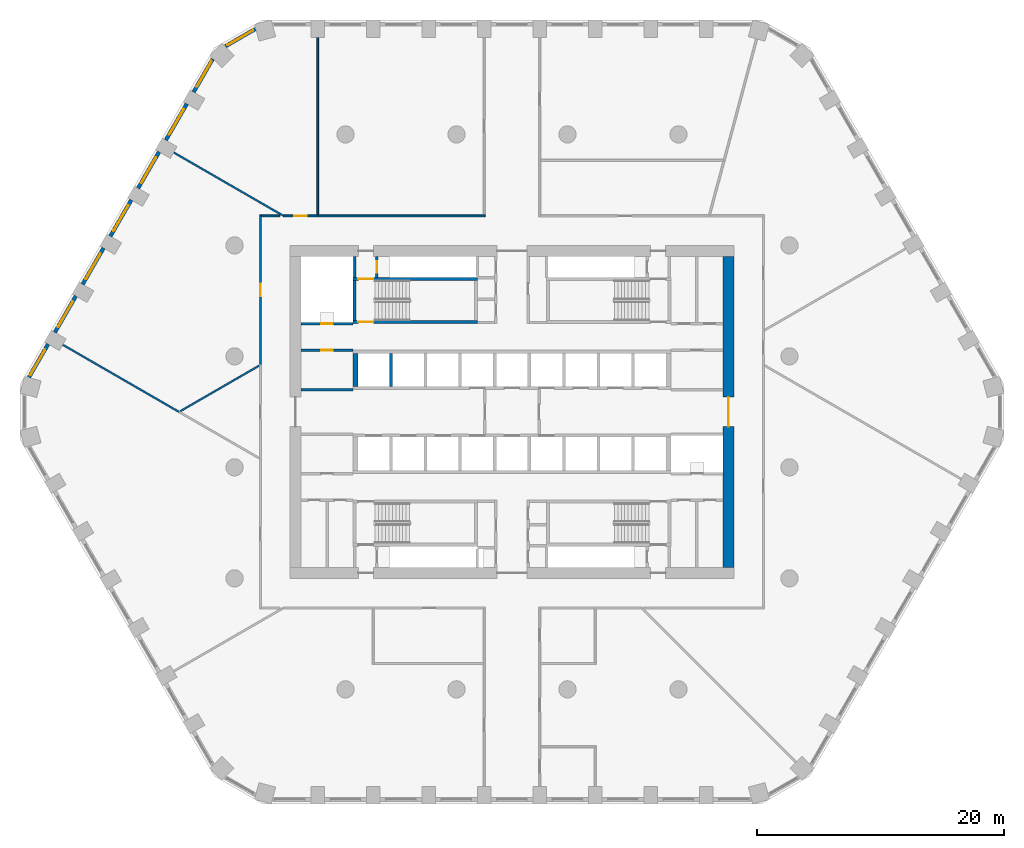
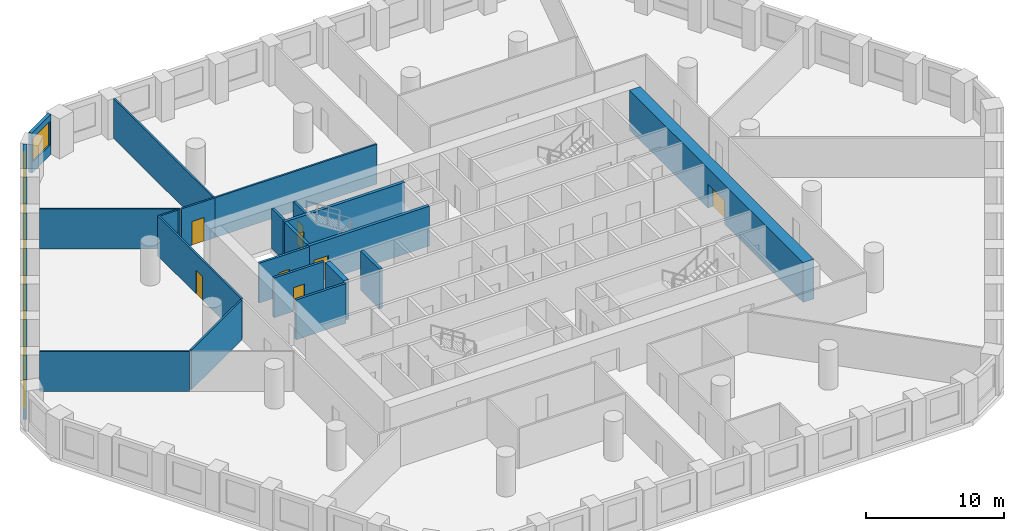
# One storey, part 5 of 10: 27 walls, 8 doors, 8 windows, 16 openings.
"""IFC4 building model written with IfcOpenShell, lengths in metres."""

from ifc_helpers import new_model, si_unit, direction, frame, frame_2d, origin, place, context, subcontext, project, spatial, polyline, rectangle, outline, extrude, material, layer, layer_set, type_object, element, fill, save


model = new_model("IFC4")

# Units and contexts
model_context = context("Model", 3, precision=1e-05, world=origin(), true_north=direction((0.0, 1.0)))
body_context = subcontext(model_context, "Body", "Model", "MODEL_VIEW")
ifc_project = project(units=[si_unit("LENGTHUNIT", "METRE"), si_unit("AREAUNIT", "SQUARE_METRE"), si_unit("VOLUMEUNIT", "CUBIC_METRE"), si_unit("PLANEANGLEUNIT", "RADIAN"), si_unit("MASSUNIT", "GRAM", prefix="KILO")], contexts=[model_context])

# Site, building, storey
site_placement = place(None, origin())
site = spatial("IfcSite", under=ifc_project, at=site_placement, CompositionType="ELEMENT")
building_placement = place(site_placement, origin())
building = spatial("IfcBuilding", under=site, at=building_placement, Name="Dhurran Vertical Campus", CompositionType="ELEMENT")
storey_placement = place(building_placement, frame((0.0, 0.0, 49.5)))
storey = spatial("IfcBuildingStorey", under=building, at=storey_placement, Name="L11", CompositionType="ELEMENT", Elevation=49.5)

# Wall, opening, window
ifc_material_1 = material(Name="Precast concrete C50/60", Category="concrete")
ifc_layer_1 = layer(ifc_material_1, 0.300048828125)
ifc_layer_set_1 = layer_set([ifc_layer_1], Name="Precast concrete C50/60")
wall_type_1 = type_object("IfcWallType", Name="Precast spandrel wall 300", PredefinedType="SOLIDWALL", material=ifc_layer_set_1)
wall_1_placement = place(storey_placement, frame((-20.81884765625, 31.047119140625, 0.0), z_axis=(0.0, 0.0, 1.0), x_axis=(-0.866020456713, -0.500008568482, 0.0)))
wall_1 = element("IfcWall", 1, at=wall_1_placement, inside=storey, type_object=wall_type_1, Name="EW1 L11.35", PredefinedType="SOLIDWALL", context=body_context, shape_type="SweptSolid", body=[
    extrude(rectangle(XDim=2.7822265625, YDim=0.300048828125, at=frame_2d((1.39111328125, 0.0))), origin(), (0.0, 0.0, 1.0), 3.52490234375),
])
opening_1_placement = place(wall_1_placement, frame((0.191162109375, 0.0, 0.89990234375)))
opening_1 = element("IfcOpeningElement", 2, at=opening_1_placement, cuts=wall_1, Name="Opening WT1", PredefinedType="OPENING", context=body_context, shape_type="SweptSolid", body=[
    extrude(rectangle(XDim=2.39990234375, YDim=2.10009765625, at=frame_2d((1.199951171875, 1.050048828125))), frame((0.0, 0.159912109375, 0.0), z_axis=(0.0, -1.0, 0.0), x_axis=(1.0, 0.0, 0.0)), (0.0, 0.0, 1.0), 0.320068359375),
])
ifc_material_2 = material(Name="Aluminium frame with solar-control glass", Category="aluminium")
window_type = type_object("IfcWindowType", Name="Punched window 2400 x 2100", PartitioningType="SINGLE_PANEL", PredefinedType="WINDOW", material=ifc_material_2)
window_1_placement = place(opening_1_placement, origin())
window_1 = element("IfcWindow", 3, at=window_1_placement, inside=storey, type_object=window_type, Name="WT1 L11.35", OverallHeight=2.10009765625, OverallWidth=2.39990234375, PartitioningType="SINGLE_PANEL", PredefinedType="WINDOW", context=body_context, shape_type="SweptSolid", body=[
    extrude(rectangle(XDim=2.39990234375, YDim=2.10009765625, at=frame_2d((1.199951171875, 1.050048828125))), frame((0.0, 0.030029296875, 0.0), z_axis=(0.0, -1.0, 0.0), x_axis=(1.0, 0.0, 0.0)), (0.0, 0.0, 1.0), 0.06005859375),
])
fill(opening_1, window_1)

wall_2_placement = place(storey_placement, frame((-24.2734375, 28.611083984375, 0.0), z_axis=(0.0, 0.0, 1.0), x_axis=(-0.499995950774, -0.866027741594, 0.0)))
wall_2 = element("IfcWall", 4, at=wall_2_placement, inside=storey, type_object=wall_type_1, Name="EW1 L11.36", PredefinedType="SOLIDWALL", context=body_context, shape_type="SweptSolid", body=[
    extrude(rectangle(XDim=3.0908203125, YDim=0.300048828125, at=frame_2d((1.54541015625, 0.0))), origin(), (0.0, 0.0, 1.0), 3.52490234375),
])
opening_2_placement = place(wall_2_placement, frame((0.191162109375, 0.0, 0.89990234375)))
opening_2 = element("IfcOpeningElement", 5, at=opening_2_placement, cuts=wall_2, Name="Opening WT1", PredefinedType="OPENING", context=body_context, shape_type="SweptSolid", body=[
    extrude(rectangle(XDim=2.39990234375, YDim=2.10009765625, at=frame_2d((1.199951171875, 1.050048828125))), frame((0.0, 0.159912109375, 0.0), z_axis=(0.0, -1.0, 0.0), x_axis=(1.0, 0.0, 0.0)), (0.0, 0.0, 1.0), 0.320068359375),
])
window_2_placement = place(opening_2_placement, origin())
window_2 = element("IfcWindow", 6, at=window_2_placement, inside=storey, type_object=window_type, Name="WT1 L11.36", OverallHeight=2.10009765625, OverallWidth=2.39990234375, PartitioningType="SINGLE_PANEL", PredefinedType="WINDOW", context=body_context, shape_type="SweptSolid", body=[
    extrude(rectangle(XDim=2.39990234375, YDim=2.10009765625, at=frame_2d((1.199951171875, 1.050048828125))), frame((0.0, 0.030029296875, 0.0), z_axis=(0.0, -1.0, 0.0), x_axis=(1.0, 0.0, 0.0)), (0.0, 0.0, 1.0), 0.06005859375),
])
fill(opening_2, window_2)

wall_3_placement = place(storey_placement, frame((-26.369384765625, 24.98095703125, 0.0), z_axis=(0.0, 0.0, 1.0), x_axis=(-0.499993955907, -0.866028893315, 0.0)))
wall_3 = element("IfcWall", 7, at=wall_3_placement, inside=storey, type_object=wall_type_1, Name="EW1 L11.37", PredefinedType="SOLIDWALL", context=body_context, shape_type="SweptSolid", body=[
    extrude(rectangle(XDim=3.39892578125, YDim=0.300048828125, at=frame_2d((1.699462890625, 0.0))), origin(), (0.0, 0.0, 1.0), 3.52490234375),
])
opening_3_placement = place(wall_3_placement, frame((0.49951171875, 0.0, 0.89990234375)))
opening_3 = element("IfcOpeningElement", 8, at=opening_3_placement, cuts=wall_3, Name="Opening WT1", PredefinedType="OPENING", context=body_context, shape_type="SweptSolid", body=[
    extrude(rectangle(XDim=2.39990234375, YDim=2.10009765625, at=frame_2d((1.199951171875, 1.050048828125))), frame((0.0, 0.159912109375, 0.0), z_axis=(0.0, -1.0, 0.0), x_axis=(1.0, 0.0, 0.0)), (0.0, 0.0, 1.0), 0.320068359375),
])
window_3_placement = place(opening_3_placement, origin())
window_3 = element("IfcWindow", 9, at=window_3_placement, inside=storey, type_object=window_type, Name="WT1 L11.37", OverallHeight=2.10009765625, OverallWidth=2.39990234375, PartitioningType="SINGLE_PANEL", PredefinedType="WINDOW", context=body_context, shape_type="SweptSolid", body=[
    extrude(rectangle(XDim=2.39990234375, YDim=2.10009765625, at=frame_2d((1.199951171875, 1.050048828125))), frame((0.0, 0.030029296875, 0.0), z_axis=(0.0, -1.0, 0.0), x_axis=(1.0, 0.0, 0.0)), (0.0, 0.0, 1.0), 0.06005859375),
])
fill(opening_3, window_3)

wall_4_placement = place(storey_placement, frame((-28.619384765625, 21.083740234375, 0.0), z_axis=(0.0, 0.0, 1.0), x_axis=(-0.499993955907, -0.866028893315, 0.0)))
wall_4 = element("IfcWall", 10, at=wall_4_placement, inside=storey, type_object=wall_type_1, Name="EW1 L11.38", PredefinedType="SOLIDWALL", context=body_context, shape_type="SweptSolid", body=[
    extrude(rectangle(XDim=3.39892578125, YDim=0.300048828125, at=frame_2d((1.699462890625, 0.0))), origin(), (0.0, 0.0, 1.0), 3.52490234375),
])
opening_4_placement = place(wall_4_placement, frame((0.49951171875, 0.0, 0.89990234375)))
opening_4 = element("IfcOpeningElement", 11, at=opening_4_placement, cuts=wall_4, Name="Opening WT1", PredefinedType="OPENING", context=body_context, shape_type="SweptSolid", body=[
    extrude(rectangle(XDim=2.39990234375, YDim=2.10009765625, at=frame_2d((1.199951171875, 1.050048828125))), frame((0.0, 0.159912109375, 0.0), z_axis=(0.0, -1.0, 0.0), x_axis=(1.0, 0.0, 0.0)), (0.0, 0.0, 1.0), 0.320068359375),
])
window_4_placement = place(opening_4_placement, origin())
window_4 = element("IfcWindow", 12, at=window_4_placement, inside=storey, type_object=window_type, Name="WT1 L11.38", OverallHeight=2.10009765625, OverallWidth=2.39990234375, PartitioningType="SINGLE_PANEL", PredefinedType="WINDOW", context=body_context, shape_type="SweptSolid", body=[
    extrude(rectangle(XDim=2.39990234375, YDim=2.10009765625, at=frame_2d((1.199951171875, 1.050048828125))), frame((0.0, 0.030029296875, 0.0), z_axis=(0.0, -1.0, 0.0), x_axis=(1.0, 0.0, 0.0)), (0.0, 0.0, 1.0), 0.06005859375),
])
fill(opening_4, window_4)

wall_5_placement = place(storey_placement, frame((-30.869384765625, 17.186767578125, 0.0), z_axis=(0.0, 0.0, 1.0), x_axis=(-0.499993955907, -0.866028893315, 0.0)))
wall_5 = element("IfcWall", 13, at=wall_5_placement, inside=storey, type_object=wall_type_1, Name="EW1 L11.39", PredefinedType="SOLIDWALL", context=body_context, shape_type="SweptSolid", body=[
    extrude(rectangle(XDim=3.39892578125, YDim=0.300048828125, at=frame_2d((1.699462890625, 0.0))), origin(), (0.0, 0.0, 1.0), 3.52490234375),
])
opening_5_placement = place(wall_5_placement, frame((0.49951171875, 0.0, 0.89990234375)))
opening_5 = element("IfcOpeningElement", 14, at=opening_5_placement, cuts=wall_5, Name="Opening WT1", PredefinedType="OPENING", context=body_context, shape_type="SweptSolid", body=[
    extrude(rectangle(XDim=2.39990234375, YDim=2.10009765625, at=frame_2d((1.199951171875, 1.050048828125))), frame((0.0, 0.159912109375, 0.0), z_axis=(0.0, -1.0, 0.0), x_axis=(1.0, 0.0, 0.0)), (0.0, 0.0, 1.0), 0.320068359375),
])
window_5_placement = place(opening_5_placement, origin())
window_5 = element("IfcWindow", 15, at=window_5_placement, inside=storey, type_object=window_type, Name="WT1 L11.39", OverallHeight=2.10009765625, OverallWidth=2.39990234375, PartitioningType="SINGLE_PANEL", PredefinedType="WINDOW", context=body_context, shape_type="SweptSolid", body=[
    extrude(rectangle(XDim=2.39990234375, YDim=2.10009765625, at=frame_2d((1.199951171875, 1.050048828125))), frame((0.0, 0.030029296875, 0.0), z_axis=(0.0, -1.0, 0.0), x_axis=(1.0, 0.0, 0.0)), (0.0, 0.0, 1.0), 0.06005859375),
])
fill(opening_5, window_5)

wall_6_placement = place(storey_placement, frame((-33.119384765625, 13.28955078125, 0.0), z_axis=(0.0, 0.0, 1.0), x_axis=(-0.499993955907, -0.866028893315, 0.0)))
wall_6 = element("IfcWall", 16, at=wall_6_placement, inside=storey, type_object=wall_type_1, Name="EW1 L11.40", PredefinedType="SOLIDWALL", context=body_context, shape_type="SweptSolid", body=[
    extrude(rectangle(XDim=3.39892578125, YDim=0.300048828125, at=frame_2d((1.699462890625, 0.0))), origin(), (0.0, 0.0, 1.0), 3.52490234375),
])
opening_6_placement = place(wall_6_placement, frame((0.49951171875, 0.0, 0.89990234375)))
opening_6 = element("IfcOpeningElement", 17, at=opening_6_placement, cuts=wall_6, Name="Opening WT1", PredefinedType="OPENING", context=body_context, shape_type="SweptSolid", body=[
    extrude(rectangle(XDim=2.39990234375, YDim=2.10009765625, at=frame_2d((1.199951171875, 1.050048828125))), frame((0.0, 0.159912109375, 0.0), z_axis=(0.0, -1.0, 0.0), x_axis=(1.0, 0.0, 0.0)), (0.0, 0.0, 1.0), 0.320068359375),
])
window_6_placement = place(opening_6_placement, origin())
window_6 = element("IfcWindow", 18, at=window_6_placement, inside=storey, type_object=window_type, Name="WT1 L11.40", OverallHeight=2.10009765625, OverallWidth=2.39990234375, PartitioningType="SINGLE_PANEL", PredefinedType="WINDOW", context=body_context, shape_type="SweptSolid", body=[
    extrude(rectangle(XDim=2.39990234375, YDim=2.10009765625, at=frame_2d((1.199951171875, 1.050048828125))), frame((0.0, 0.030029296875, 0.0), z_axis=(0.0, -1.0, 0.0), x_axis=(1.0, 0.0, 0.0)), (0.0, 0.0, 1.0), 0.06005859375),
])
fill(opening_6, window_6)

wall_7_placement = place(storey_placement, frame((-35.369384765625, 9.392578125, 0.0), z_axis=(0.0, 0.0, 1.0), x_axis=(-0.499993955907, -0.866028893315, 0.0)))
wall_7 = element("IfcWall", 19, at=wall_7_placement, inside=storey, type_object=wall_type_1, Name="EW1 L11.41", PredefinedType="SOLIDWALL", context=body_context, shape_type="SweptSolid", body=[
    extrude(rectangle(XDim=3.39892578125, YDim=0.300048828125, at=frame_2d((1.699462890625, 0.0))), origin(), (0.0, 0.0, 1.0), 3.52490234375),
])
opening_7_placement = place(wall_7_placement, frame((0.49951171875, 0.0, 0.89990234375)))
opening_7 = element("IfcOpeningElement", 20, at=opening_7_placement, cuts=wall_7, Name="Opening WT1", PredefinedType="OPENING", context=body_context, shape_type="SweptSolid", body=[
    extrude(rectangle(XDim=2.39990234375, YDim=2.10009765625, at=frame_2d((1.199951171875, 1.050048828125))), frame((0.0, 0.159912109375, 0.0), z_axis=(0.0, -1.0, 0.0), x_axis=(1.0, 0.0, 0.0)), (0.0, 0.0, 1.0), 0.320068359375),
])
window_7_placement = place(opening_7_placement, origin())
window_7 = element("IfcWindow", 21, at=window_7_placement, inside=storey, type_object=window_type, Name="WT1 L11.41", OverallHeight=2.10009765625, OverallWidth=2.39990234375, PartitioningType="SINGLE_PANEL", PredefinedType="WINDOW", context=body_context, shape_type="SweptSolid", body=[
    extrude(rectangle(XDim=2.39990234375, YDim=2.10009765625, at=frame_2d((1.199951171875, 1.050048828125))), frame((0.0, 0.030029296875, 0.0), z_axis=(0.0, -1.0, 0.0), x_axis=(1.0, 0.0, 0.0)), (0.0, 0.0, 1.0), 0.06005859375),
])
fill(opening_7, window_7)

wall_8_placement = place(storey_placement, frame((-37.619384765625, 5.495361328125, 0.0), z_axis=(0.0, 0.0, 1.0), x_axis=(-0.49997090907, -0.866042198789, 0.0)))
wall_8 = element("IfcWall", 22, at=wall_8_placement, inside=storey, type_object=wall_type_1, Name="EW1 L11.42", PredefinedType="SOLIDWALL", context=body_context, shape_type="SweptSolid", body=[
    extrude(rectangle(XDim=3.090576171875, YDim=0.300048828125, at=frame_2d((1.54541015625, 0.0))), origin(), (0.0, 0.0, 1.0), 3.52490234375),
])
opening_8_placement = place(wall_8_placement, frame((0.49951171875, 0.0, 0.89990234375)))
opening_8 = element("IfcOpeningElement", 23, at=opening_8_placement, cuts=wall_8, Name="Opening WT1", PredefinedType="OPENING", context=body_context, shape_type="SweptSolid", body=[
    extrude(rectangle(XDim=2.39990234375, YDim=2.10009765625, at=frame_2d((1.199951171875, 1.050048828125))), frame((0.0, 0.159912109375, 0.0), z_axis=(0.0, -1.0, 0.0), x_axis=(1.0, 0.0, 0.0)), (0.0, 0.0, 1.0), 0.320068359375),
])
window_8_placement = place(opening_8_placement, origin())
window_8 = element("IfcWindow", 24, at=window_8_placement, inside=storey, type_object=window_type, Name="WT1 L11.42", OverallHeight=2.10009765625, OverallWidth=2.39990234375, PartitioningType="SINGLE_PANEL", PredefinedType="WINDOW", context=body_context, shape_type="SweptSolid", body=[
    extrude(rectangle(XDim=2.39990234375, YDim=2.10009765625, at=frame_2d((1.199951171875, 1.050048828125))), frame((0.0, 0.030029296875, 0.0), z_axis=(0.0, -1.0, 0.0), x_axis=(1.0, 0.0, 0.0)), (0.0, 0.0, 1.0), 0.06005859375),
])
fill(opening_8, window_8)

# Wall, opening, door
ifc_material_3 = material(Name="Concrete C60/75", Category="concrete")
ifc_layer_2 = layer(ifc_material_3, 0.89990234375)
ifc_layer_set_2 = layer_set([ifc_layer_2], Name="Concrete C60/75")
wall_type_2 = type_object("IfcWallType", Name="co-CORE-WALL-C0-900", PredefinedType="SHEAR", material=ifc_layer_set_2)
wall_9_placement = place(storey_placement, frame((17.550048828125, -12.60009765625, 0.0), z_axis=(0.0, 0.0, 1.0), x_axis=(0.0, 1.0, 0.0)))
wall_9 = element("IfcWall", 25, at=wall_9_placement, inside=storey, type_object=wall_type_2, Name="Core wall E L11", PredefinedType="SHEAR", context=body_context, shape_type="SweptSolid", body=[
    extrude(rectangle(XDim=25.2001953125, YDim=0.89990234375, at=frame_2d((12.60009765625, 0.0))), origin(), (0.0, 0.0, 1.0), 3.52490234375),
])
opening_9_placement = place(wall_9_placement, frame((11.39990234375, 0.0, 0.0)))
opening_9 = element("IfcOpeningElement", 26, at=opening_9_placement, cuts=wall_9, Name="Opening CL2", PredefinedType="OPENING", context=body_context, shape_type="SweptSolid", body=[
    extrude(rectangle(XDim=2.39990234375, YDim=2.10009765625, at=frame_2d((1.199951171875, 1.050048828125))), frame((0.0, 0.4599609375, 0.0), z_axis=(0.0, -1.0, 0.0), x_axis=(1.0, 0.0, 0.0)), (0.0, 0.0, 1.0), 0.919921875),
])
ifc_material_4 = material(Name="Fire-rated glazed door set")
door_type_1 = type_object("IfcDoorType", Name="co-D-LOBBY 2400x2100", OperationType="DOUBLE_DOOR_DOUBLE_SWING", PredefinedType="DOOR", material=ifc_material_4)
door_1_placement = place(opening_9_placement, origin())
door_1 = element("IfcDoor", 27, at=door_1_placement, inside=storey, type_object=door_type_1, Name="Lift lobby door E L11", OperationType="DOUBLE_DOOR_DOUBLE_SWING", OverallHeight=2.10009765625, OverallWidth=2.39990234375, PredefinedType="DOOR", context=body_context, shape_type="SweptSolid", body=[
    extrude(rectangle(XDim=2.39990234375, YDim=2.10009765625, at=frame_2d((1.199951171875, 1.050048828125))), frame((0.0, 0.02490234375, 0.0), z_axis=(0.0, -1.0, 0.0), x_axis=(1.0, 0.0, 0.0)), (0.0, 0.0, 1.0), 0.050048828125),
])
fill(opening_9, door_1)

# Wall
ifc_material_5 = material(Name="Fire-rated masonry blockwork", Category="masonry")
ifc_layer_3 = layer(ifc_material_5, 0.199951171875)
ifc_layer_set_3 = layer_set([ifc_layer_3], Name="Fire-rated masonry blockwork")
wall_type_3 = type_object("IfcWallType", Name="co-FIRE-PARTITION-200", PredefinedType="PARTITIONING", material=ifc_layer_set_3)
wall_10_placement = place(storey_placement, frame((-12.75, 10.89990234375, 0.0), z_axis=(0.0, 0.0, 1.0), x_axis=(0.0, 1.0, 0.0)))
element("IfcWall", 28, at=wall_10_placement, inside=storey, type_object=wall_type_3, Name="Core partition pass-ST1-o L11", PredefinedType="PARTITIONING", context=body_context, shape_type="SweptSolid", body=[
    extrude(rectangle(XDim=1.7001953125, YDim=0.199951171875, at=frame_2d((0.85009765625, 0.0))), origin(), (0.0, 0.0, 1.0), 3.52490234375),
])

# Wall, opening, door
wall_11_placement = place(storey_placement, frame((-10.949951171875, 10.89990234375, 0.0), z_axis=(0.0, 0.0, 1.0), x_axis=(0.0, 1.0, 0.0)))
wall_11 = element("IfcWall", 29, at=wall_11_placement, inside=storey, type_object=wall_type_3, Name="Core partition pass-ST1-i L11", PredefinedType="PARTITIONING", context=body_context, shape_type="SweptSolid", body=[
    extrude(rectangle(XDim=1.7001953125, YDim=0.199951171875, at=frame_2d((0.85009765625, 0.0))), origin(), (0.0, 0.0, 1.0), 3.52490234375),
])
opening_10_placement = place(wall_11_placement, frame((0.39990234375, 0.0, 0.0)))
opening_10 = element("IfcOpeningElement", 30, at=opening_10_placement, cuts=wall_11, Name="Opening T02-C10", PredefinedType="OPENING", context=body_context, shape_type="SweptSolid", body=[
    extrude(rectangle(XDim=0.89990234375, YDim=2.10009765625, at=frame_2d((0.449951171875, 1.050048828125))), frame((0.0, 0.10986328125, 0.0), z_axis=(0.0, -1.0, 0.0), x_axis=(1.0, 0.0, 0.0)), (0.0, 0.0, 1.0), 0.219970703125),
])
ifc_material_6 = material(Name="Fire-rated timber door set", Category="wood")
door_type_2 = type_object("IfcDoorType", Name="co-D-ROOM 900x2100", OperationType="SINGLE_SWING_LEFT", PredefinedType="DOOR", material=ifc_material_6)
door_2_placement = place(opening_10_placement, origin())
door_2 = element("IfcDoor", 31, at=door_2_placement, inside=storey, type_object=door_type_2, Name="Riser room door L11", OperationType="SINGLE_SWING_LEFT", OverallHeight=2.10009765625, OverallWidth=0.89990234375, PredefinedType="DOOR", context=body_context, shape_type="SweptSolid", body=[
    extrude(rectangle(XDim=0.89990234375, YDim=2.10009765625, at=frame_2d((0.449951171875, 1.050048828125))), frame((0.0, 0.02490234375, 0.0), z_axis=(0.0, -1.0, 0.0), x_axis=(1.0, 0.0, 0.0)), (0.0, 0.0, 1.0), 0.050048828125),
])
fill(opening_10, door_2)

wall_12_placement = place(storey_placement, frame((-17.10009765625, 7.14990234375, 0.0), z_axis=(0.0, 0.0, 1.0), x_axis=(1.0, 0.0, 0.0)))
wall_12 = element("IfcWall", 32, at=wall_12_placement, inside=storey, type_object=wall_type_3, Name="Core partition en-NW-w L11", PredefinedType="PARTITIONING", context=body_context, shape_type="SweptSolid", body=[
    extrude(rectangle(XDim=4.2001953125, YDim=0.199951171875, at=frame_2d((2.10009765625, 0.0))), origin(), (0.0, 0.0, 1.0), 3.52490234375),
])
opening_11_placement = place(wall_12_placement, frame((1.64990234375, 0.0, 0.0)))
opening_11 = element("IfcOpeningElement", 33, at=opening_11_placement, cuts=wall_12, Name="Opening T02-C14", PredefinedType="OPENING", context=body_context, shape_type="SweptSolid", body=[
    extrude(rectangle(XDim=0.89990234375, YDim=2.10009765625, at=frame_2d((0.449951171875, 1.050048828125))), frame((0.0, 0.10986328125, 0.0), z_axis=(0.0, -1.0, 0.0), x_axis=(1.0, 0.0, 0.0)), (0.0, 0.0, 1.0), 0.219970703125),
])
door_3_placement = place(opening_11_placement, origin())
door_3 = element("IfcDoor", 34, at=door_3_placement, inside=storey, type_object=door_type_2, Name="Water riser door L11", OperationType="SINGLE_SWING_LEFT", OverallHeight=2.10009765625, OverallWidth=0.89990234375, PredefinedType="DOOR", context=body_context, shape_type="SweptSolid", body=[
    extrude(rectangle(XDim=0.89990234375, YDim=2.10009765625, at=frame_2d((0.449951171875, 1.050048828125))), frame((0.0, 0.02490234375, 0.0), z_axis=(0.0, -1.0, 0.0), x_axis=(1.0, 0.0, 0.0)), (0.0, 0.0, 1.0), 0.050048828125),
])
fill(opening_11, door_3)

wall_13_placement = place(storey_placement, frame((-17.10009765625, 5.0, 0.0), z_axis=(0.0, 0.0, 1.0), x_axis=(1.0, 0.0, 0.0)))
wall_13 = element("IfcWall", 35, at=wall_13_placement, inside=storey, type_object=wall_type_3, Name="Core partition es-NW-w L11", PredefinedType="PARTITIONING", context=body_context, shape_type="SweptSolid", body=[
    extrude(rectangle(XDim=4.2001953125, YDim=0.199951171875, at=frame_2d((2.10009765625, 0.0))), origin(), (0.0, 0.0, 1.0), 3.52490234375),
])
opening_12_placement = place(wall_13_placement, frame((1.64990234375, 0.0, 0.0)))
opening_12 = element("IfcOpeningElement", 36, at=opening_12_placement, cuts=wall_13, Name="Opening T02-C15", PredefinedType="OPENING", context=body_context, shape_type="SweptSolid", body=[
    extrude(rectangle(XDim=0.89990234375, YDim=2.10009765625, at=frame_2d((0.449951171875, 1.050048828125))), frame((0.0, 0.10986328125, 0.0), z_axis=(0.0, -1.0, 0.0), x_axis=(1.0, 0.0, 0.0)), (0.0, 0.0, 1.0), 0.219970703125),
])
door_4_placement = place(opening_12_placement, origin())
door_4 = element("IfcDoor", 37, at=door_4_placement, inside=storey, type_object=door_type_2, Name="Server room door L11", OperationType="SINGLE_SWING_LEFT", OverallHeight=2.10009765625, OverallWidth=0.89990234375, PredefinedType="DOOR", context=body_context, shape_type="SweptSolid", body=[
    extrude(rectangle(XDim=0.89990234375, YDim=2.10009765625, at=frame_2d((0.449951171875, 1.050048828125))), frame((0.0, 0.02490234375, 0.0), z_axis=(0.0, -1.0, 0.0), x_axis=(1.0, 0.0, 0.0)), (0.0, 0.0, 1.0), 0.050048828125),
])
fill(opening_12, door_4)

# Walls
wall_14_placement = place(storey_placement, frame((-17.10009765625, 1.800048828125, 0.0), z_axis=(0.0, 0.0, 1.0), x_axis=(1.0, 0.0, 0.0)))
element("IfcWall", 38, at=wall_14_placement, inside=storey, type_object=wall_type_3, Name="Core partition es-NW-l L11", PredefinedType="PARTITIONING", context=body_context, shape_type="SweptSolid", body=[
    extrude(rectangle(XDim=4.2001953125, YDim=0.199951171875, at=frame_2d((2.10009765625, 0.0))), origin(), (0.0, 0.0, 1.0), 3.52490234375),
])
ifc_material_7 = material(Name="Concrete C50/60", Category="concrete")
ifc_layer_4 = layer(ifc_material_7, 0.25)
ifc_layer_set_4 = layer_set([ifc_layer_4], Name="Concrete C50/60")
wall_type_4 = type_object("IfcWallType", Name="co-SHAFT-MASS-250", PredefinedType="SHEAR", material=ifc_layer_set_4)
wall_15_placement = place(storey_placement, origin())
element("IfcWall", 39, at=wall_15_placement, inside=storey, type_object=wall_type_4, Name="Lift shaft wall N L11 2", PredefinedType="SHEAR", context=body_context, shape_type="SweptSolid", body=[
    extrude(outline(polyline([(-12.89990234375, 2.050048828125), (-12.47509765625, 2.050048828125), (-12.47509765625, 4.75), (-12.89990234375, 4.75), (-12.89990234375, 2.050048828125)])), origin(), (0.0, 0.0, 1.0), 3.52490234375),
])
wall_16_placement = place(storey_placement, origin())
element("IfcWall", 40, at=wall_16_placement, inside=storey, type_object=wall_type_4, Name="Lift shaft wall N L11 3", PredefinedType="SHEAR", context=body_context, shape_type="SweptSolid", body=[
    extrude(outline(polyline([(-9.925048828125, 2.050048828125), (-9.675048828125, 2.050048828125), (-9.675048828125, 4.75), (-9.925048828125, 4.75), (-9.925048828125, 2.050048828125)])), origin(), (0.0, 0.0, 1.0), 3.52490234375),
])

# Wall, opening, door
ifc_material_8 = material(Name="Concrete C40/50", Category="concrete")
ifc_layer_5 = layer(ifc_material_8, 0.25)
ifc_layer_set_5 = layer_set([ifc_layer_5], Name="Concrete C40/50")
wall_type_5 = type_object("IfcWallType", Name="co-STAIR-WALL-250", PredefinedType="SHEAR", material=ifc_layer_set_5)
wall_17_placement = place(storey_placement, frame((-12.89990234375, 7.27490234375, 0.0), z_axis=(0.0, 0.0, 1.0), x_axis=(1.0, 0.0, 0.0)))
wall_17 = element("IfcWall", 41, at=wall_17_placement, inside=storey, type_object=wall_type_5, Name="Stair ST1 enclosure wall L11", PredefinedType="SHEAR", context=body_context, shape_type="SweptSolid", body=[
    extrude(rectangle(XDim=10.099853515625, YDim=0.25, at=frame_2d((5.0498046875, 0.0))), origin(), (0.0, 0.0, 1.0), 3.52490234375),
])
opening_13_placement = place(wall_17_placement, frame((0.449951171875, 0.0, 0.0)))
opening_13 = element("IfcOpeningElement", 42, at=opening_13_placement, cuts=wall_17, Name="Opening SD1", PredefinedType="OPENING", context=body_context, shape_type="SweptSolid", body=[
    extrude(rectangle(XDim=1.199951171875, YDim=2.10009765625, at=frame_2d((0.60009765625, 1.050048828125))), frame((0.0, 0.135009765625, 0.0), z_axis=(0.0, -1.0, 0.0), x_axis=(1.0, 0.0, 0.0)), (0.0, 0.0, 1.0), 0.27001953125),
])
ifc_material_9 = material(Name="Fire-rated steel door set", Category="steel")
door_type_3 = type_object("IfcDoorType", Name="co-D-STAIR 1200x2100", OperationType="SINGLE_SWING_LEFT", PredefinedType="DOOR", material=ifc_material_9)
door_5_placement = place(opening_13_placement, origin())
door_5 = element("IfcDoor", 43, at=door_5_placement, inside=storey, type_object=door_type_3, Name="Stair ST1 door L11", OperationType="SINGLE_SWING_LEFT", OverallHeight=2.10009765625, OverallWidth=1.199951171875, PredefinedType="DOOR", context=body_context, shape_type="SweptSolid", body=[
    extrude(rectangle(XDim=1.199951171875, YDim=2.10009765625, at=frame_2d((0.60009765625, 1.050048828125))), frame((0.0, 0.02490234375, 0.0), z_axis=(0.0, -1.0, 0.0), x_axis=(1.0, 0.0, 0.0)), (0.0, 0.0, 1.0), 0.050048828125),
])
fill(opening_13, door_5)

wall_18_placement = place(storey_placement, frame((-12.89990234375, 10.77490234375, 0.0), z_axis=(0.0, 0.0, 1.0), x_axis=(1.0, 0.0, 0.0)))
wall_18 = element("IfcWall", 44, at=wall_18_placement, inside=storey, type_object=wall_type_5, Name="Stair ST1 enclosure wall L11", PredefinedType="SHEAR", context=body_context, shape_type="SweptSolid", body=[
    extrude(rectangle(XDim=10.099853515625, YDim=0.25, at=frame_2d((5.0498046875, 0.0))), origin(), (0.0, 0.0, 1.0), 3.52490234375),
])
opening_14_placement = place(wall_18_placement, frame((0.449951171875, 0.0, 0.0)))
opening_14 = element("IfcOpeningElement", 45, at=opening_14_placement, cuts=wall_18, Name="Opening XS1", PredefinedType="OPENING", context=body_context, shape_type="SweptSolid", body=[
    extrude(rectangle(XDim=1.199951171875, YDim=2.10009765625, at=frame_2d((0.60009765625, 1.050048828125))), frame((0.0, 0.135009765625, 0.0), z_axis=(0.0, -1.0, 0.0), x_axis=(1.0, 0.0, 0.0)), (0.0, 0.0, 1.0), 0.27001953125),
])
ifc_material_10 = material(Name="Fire-rated steel door set", Category="steel")
door_type_4 = type_object("IfcDoorType", Name="co-D-STAIR-EXIT 1200x2100", OperationType="SINGLE_SWING_RIGHT", PredefinedType="DOOR", material=ifc_material_10)
door_6_placement = place(opening_14_placement, origin())
door_6 = element("IfcDoor", 46, at=door_6_placement, inside=storey, type_object=door_type_4, Name="Stair ST1 discharge door L11", OperationType="SINGLE_SWING_RIGHT", OverallHeight=2.10009765625, OverallWidth=1.199951171875, PredefinedType="DOOR", context=body_context, shape_type="SweptSolid", body=[
    extrude(rectangle(XDim=1.199951171875, YDim=2.10009765625, at=frame_2d((0.60009765625, 1.050048828125))), frame((0.0, 0.02490234375, 0.0), z_axis=(0.0, -1.0, 0.0), x_axis=(1.0, 0.0, 0.0)), (0.0, 0.0, 1.0), 0.050048828125),
])
fill(opening_14, door_6)

# Wall
wall_19_placement = place(storey_placement, frame((-12.77490234375, 7.39990234375, 0.0), z_axis=(0.0, 0.0, 1.0), x_axis=(0.0, 1.0, 0.0)))
element("IfcWall", 47, at=wall_19_placement, inside=storey, type_object=wall_type_5, Name="Stair ST1 enclosure wall L11", PredefinedType="SHEAR", context=body_context, shape_type="SweptSolid", body=[
    extrude(rectangle(XDim=3.25, YDim=0.25, at=frame_2d((1.625, 0.0))), origin(), (0.0, 0.0, 1.0), 3.52490234375),
])

# Wall, opening, door
ifc_material_11 = material(Name="Gypsum board corridor wall on steel studs", Category="steel")
ifc_layer_6 = layer(ifc_material_11, 0.14990234375)
ifc_layer_set_6 = layer_set([ifc_layer_6], Name="Gypsum board corridor wall on steel studs")
wall_type_6 = type_object("IfcWallType", Name="fl-CW-150 corridor wall", PredefinedType="PARTITIONING", material=ifc_layer_set_6)
wall_20_placement = place(storey_placement, frame((-20.39990234375, 15.97509765625, 0.0), z_axis=(0.0, 0.0, 1.0), x_axis=(0.0, -1.0, 0.0)))
wall_20 = element("IfcWall", 48, at=wall_20_placement, inside=storey, type_object=wall_type_6, Name="Partition 11-09", PredefinedType="PARTITIONING", context=body_context, shape_type="SweptSolid", body=[
    extrude(rectangle(XDim=12.1640625, YDim=0.14990234375, at=frame_2d((6.08203125, 0.0))), origin(), (0.0, 0.0, 1.0), 3.52490234375),
])
opening_15_placement = place(wall_20_placement, frame((5.58203125, 0.0, 0.0)))
opening_15 = element("IfcOpeningElement", 49, at=opening_15_placement, cuts=wall_20, Name="Opening T02.02", PredefinedType="OPENING", context=body_context, shape_type="SweptSolid", body=[
    extrude(rectangle(XDim=1.0, YDim=2.10009765625, at=frame_2d((0.5, 1.050048828125))), frame((0.0, 0.0849609375, 0.0), z_axis=(0.0, -1.0, 0.0), x_axis=(1.0, 0.0, 0.0)), (0.0, 0.0, 1.0), 0.169921875),
])
ifc_material_12 = material(Name="Solid-core timber door set, fire-rated", Category="wood")
door_type_5 = type_object("IfcDoorType", Name="fl-D-1000x2100", OperationType="SINGLE_SWING_LEFT", PredefinedType="DOOR", material=ifc_material_12)
door_7_placement = place(opening_15_placement, origin())
door_7 = element("IfcDoor", 50, at=door_7_placement, inside=storey, type_object=door_type_5, Name="Door 11.02", OperationType="SINGLE_SWING_LEFT", OverallHeight=2.10009765625, OverallWidth=1.0, PredefinedType="DOOR", context=body_context, shape_type="SweptSolid", body=[
    extrude(rectangle(XDim=1.0, YDim=2.10009765625, at=frame_2d((0.5, 1.050048828125))), frame((0.0, 0.02490234375, 0.0), z_axis=(0.0, -1.0, 0.0), x_axis=(1.0, 0.0, 0.0)), (0.0, 0.0, 1.0), 0.050048828125),
])
fill(opening_15, door_7)

# Wall
wall_21_placement = place(storey_placement, frame((-18.81494140625, 15.89990234375, 0.0), z_axis=(0.0, 0.0, 1.0), x_axis=(-1.0, 0.0, 0.0)))
element("IfcWall", 51, at=wall_21_placement, inside=storey, type_object=wall_type_6, Name="Partition 11-10", PredefinedType="PARTITIONING", context=body_context, shape_type="SweptSolid", body=[
    extrude(rectangle(XDim=1.510009765625, YDim=0.14990234375, at=frame_2d((0.7548828125, 0.0))), origin(), (0.0, 0.0, 1.0), 3.52490234375),
])

# Wall, opening, door
wall_22_placement = place(storey_placement, frame((-15.75, 15.89990234375, 0.0), z_axis=(0.0, 0.0, 1.0), x_axis=(-1.0, 0.0, 0.0)))
wall_22 = element("IfcWall", 52, at=wall_22_placement, inside=storey, type_object=wall_type_6, Name="Partition 11-12", PredefinedType="PARTITIONING", context=body_context, shape_type="SweptSolid", body=[
    extrude(rectangle(XDim=2.7900390625, YDim=0.14990234375, at=frame_2d((1.39501953125, 0.0))), origin(), (0.0, 0.0, 1.0), 3.52490234375),
])
opening_16_placement = place(wall_22_placement, frame((0.89501953125, 0.0, 0.0)))
opening_16 = element("IfcOpeningElement", 53, at=opening_16_placement, cuts=wall_22, Name="Opening T02.04", PredefinedType="OPENING", context=body_context, shape_type="SweptSolid", body=[
    extrude(rectangle(XDim=1.0, YDim=2.10009765625, at=frame_2d((0.5, 1.050048828125))), frame((0.0, 0.0849609375, 0.0), z_axis=(0.0, -1.0, 0.0), x_axis=(1.0, 0.0, 0.0)), (0.0, 0.0, 1.0), 0.169921875),
])
door_8_placement = place(opening_16_placement, origin())
door_8 = element("IfcDoor", 54, at=door_8_placement, inside=storey, type_object=door_type_5, Name="Door 11.04", OperationType="SINGLE_SWING_LEFT", OverallHeight=2.10009765625, OverallWidth=1.0, PredefinedType="DOOR", context=body_context, shape_type="SweptSolid", body=[
    extrude(rectangle(XDim=1.0, YDim=2.10009765625, at=frame_2d((0.5, 1.050048828125))), frame((0.0, 0.02490234375, 0.0), z_axis=(0.0, -1.0, 0.0), x_axis=(1.0, 0.0, 0.0)), (0.0, 0.0, 1.0), 0.050048828125),
])
fill(opening_16, door_8)

# Walls
wall_23_placement = place(storey_placement, frame((-2.175048828125, 15.89990234375, 0.0), z_axis=(0.0, 0.0, 1.0), x_axis=(-1.0, 0.0, 0.0)))
element("IfcWall", 55, at=wall_23_placement, inside=storey, type_object=wall_type_6, Name="Partition 11-14", PredefinedType="PARTITIONING", context=body_context, shape_type="SweptSolid", body=[
    extrude(rectangle(XDim=13.574951171875, YDim=0.14990234375, at=frame_2d((6.78759765625, 0.0))), origin(), (0.0, 0.0, 1.0), 3.52490234375),
])
ifc_material_13 = material(Name="Gypsum board partition on steel studs", Category="steel")
ifc_layer_7 = layer(ifc_material_13, 0.14990234375)
ifc_layer_set_7 = layer_set([ifc_layer_7], Name="Gypsum board partition on steel studs")
wall_type_7 = type_object("IfcWallType", Name="fl-PW-150 fixed partition", PredefinedType="PARTITIONING", material=ifc_layer_set_7)
wall_24_placement = place(storey_placement, frame((-36.417236328125, 5.437255859375, 0.0), z_axis=(0.0, 0.0, 1.0), x_axis=(0.866016964551, -0.500014616896, 0.0)))
element("IfcWall", 56, at=wall_24_placement, inside=storey, type_object=wall_type_7, Name="Partition 11-01", PredefinedType="PARTITIONING", context=body_context, shape_type="SweptSolid", body=[
    extrude(rectangle(XDim=10.874267578125, YDim=0.14990234375, at=frame_2d((5.43701171875, 0.0))), origin(), (0.0, 0.0, 1.0), 3.52490234375),
])
wall_25_placement = place(storey_placement, frame((-27.4169921875, 21.02587890625, 0.0), z_axis=(0.0, 0.0, 1.0), x_axis=(0.86599299422, -0.500056130812, 0.0)))
element("IfcWall", 57, at=wall_25_placement, inside=storey, type_object=wall_type_7, Name="Partition 11-03", PredefinedType="PARTITIONING", context=body_context, shape_type="SweptSolid", body=[
    extrude(rectangle(XDim=10.175537109375, YDim=0.14990234375, at=frame_2d((5.087890625, 0.0))), origin(), (0.0, 0.0, 1.0), 3.52490234375),
])
wall_26_placement = place(storey_placement, frame((-20.512451171875, 3.74609375, 0.0), z_axis=(0.0, 0.0, 1.0), x_axis=(-0.865993380977, -0.500055461028, 0.0)))
element("IfcWall", 58, at=wall_26_placement, inside=storey, type_object=wall_type_7, Name="Partition 11-05", PredefinedType="PARTITIONING", context=body_context, shape_type="SweptSolid", body=[
    extrude(rectangle(XDim=7.361572265625, YDim=0.14990234375, at=frame_2d((3.6806640625, 0.0))), origin(), (0.0, 0.0, 1.0), 3.52490234375),
])
wall_27_placement = place(storey_placement, frame((-15.75, 30.35986328125, 0.0), z_axis=(0.0, 0.0, 1.0), x_axis=(0.0, -1.0, 0.0)))
element("IfcWall", 59, at=wall_27_placement, inside=storey, type_object=wall_type_7, Name="Partition 11-13", PredefinedType="PARTITIONING", context=body_context, shape_type="SweptSolid", body=[
    extrude(rectangle(XDim=14.384765625, YDim=0.14990234375, at=frame_2d((7.1923828125, 0.0))), origin(), (0.0, 0.0, 1.0), 3.52490234375),
])

save(model, "model.ifc")
